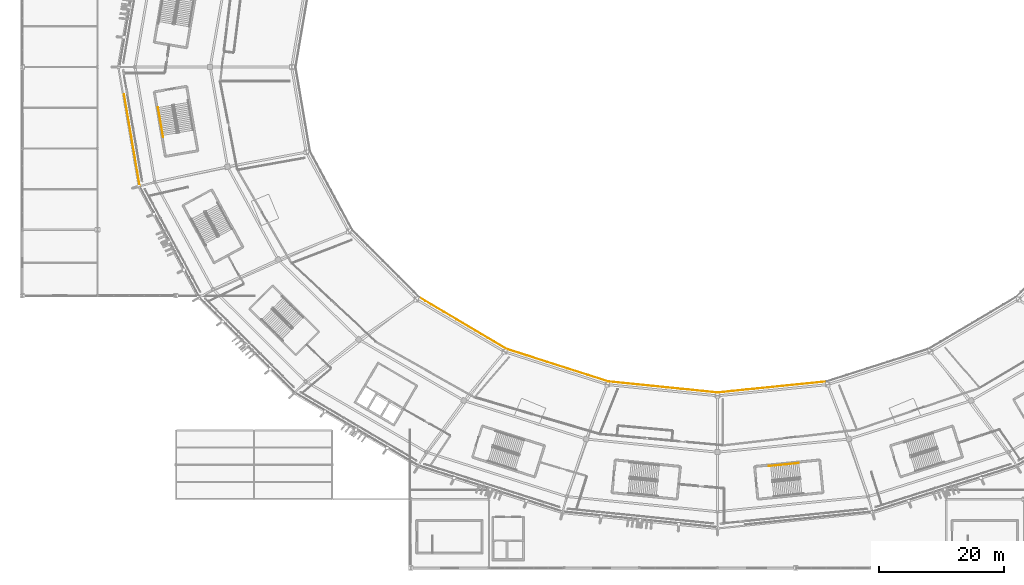
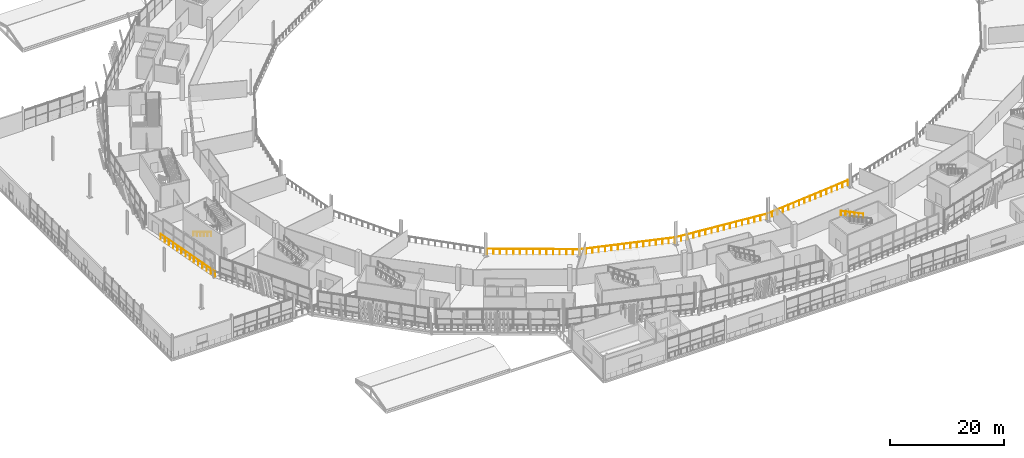
# One storey, part 152 of 179: 7 railings.
"""IFC4 building model written with IfcOpenShell, lengths in metres."""

from ifc_helpers import new_model, si_unit, direction, frame, origin, origin_2d, place, context, subcontext, project, spatial, rectangle, extrude, material, type_object, element, save


model = new_model("IFC4")

# Units and contexts
model_context = context("Model", 3, precision=1e-05, world=origin(), true_north=direction((0.0, 1.0)))
body_context = subcontext(model_context, "Body", "Model", "MODEL_VIEW")
ifc_project = project(units=[si_unit("LENGTHUNIT", "METRE"), si_unit("AREAUNIT", "SQUARE_METRE"), si_unit("VOLUMEUNIT", "CUBIC_METRE"), si_unit("PLANEANGLEUNIT", "RADIAN"), si_unit("MASSUNIT", "GRAM", prefix="KILO")], contexts=[model_context])

# Site, building, storey
site_placement = place(None, origin())
site = spatial("IfcSite", under=ifc_project, at=site_placement, CompositionType="ELEMENT")
building_placement = place(site_placement, origin())
building = spatial("IfcBuilding", under=site, at=building_placement, Name="Zlatoyarsky Gate Stadium", CompositionType="ELEMENT")
storey_placement = place(building_placement, frame((0.0, 0.0, 10.60009765625)))
storey = spatial("IfcBuildingStorey", under=building, at=storey_placement, Name="L02", CompositionType="ELEMENT", Elevation=10.60009765625)

# Railings
ifc_material_1 = material(Name="Powder-coated steel tubular guardrail", Category="steel")
railing_type_1 = type_object("IfcRailingType", Name="CONCOURSE SLAB EDGE GUARDRAIL 1200", PredefinedType="GUARDRAIL", material=ifc_material_1)
railing_1_placement = place(storey_placement, frame((63.35498046875, 43.24462890625, 0.0)))
element("IfcRailing", 1, at=railing_1_placement, inside=storey, type_object=railing_type_1, Name="L02 inner bowl edge guardrail 15", PredefinedType="GUARDRAIL", context=body_context, shape_type="SweptSolid", body=[
    extrude(rectangle(XDim=0.048095703125, YDim=0.048095703125, at=origin_2d()), frame((0.0, 0.0, 1.17578125), z_axis=(0.860533047645, -0.509394615118, 0.0), x_axis=(0.509394615118, 0.860533047645, 0.0)), (0.0, 0.0, 1.0), 16.216796875),
    extrude(rectangle(XDim=0.0419921875, YDim=0.0419921875, at=origin_2d()), origin(), (0.0, 0.0, 1.0), 1.15185546875),
    extrude(rectangle(XDim=0.0419921875, YDim=0.0419921875, at=origin_2d()), frame((0.996826171875, -0.590087890625, 0.0)), (0.0, 0.0, 1.0), 1.15185546875),
    extrude(rectangle(XDim=0.0419921875, YDim=0.0419921875, at=origin_2d()), frame((1.99365234375, -1.18017578125, 0.0)), (0.0, 0.0, 1.0), 1.15185546875),
    extrude(rectangle(XDim=0.0419921875, YDim=0.0419921875, at=origin_2d()), frame((2.990478515625, -1.770263671875, 0.0)), (0.0, 0.0, 1.0), 1.15185546875),
    extrude(rectangle(XDim=0.0419921875, YDim=0.0419921875, at=origin_2d()), frame((3.987060546875, -2.360107421875, 0.0)), (0.0, 0.0, 1.0), 1.15185546875),
    extrude(rectangle(XDim=0.0419921875, YDim=0.0419921875, at=origin_2d()), frame((4.98388671875, -2.9501953125, 0.0)), (0.0, 0.0, 1.0), 1.15185546875),
    extrude(rectangle(XDim=0.0419921875, YDim=0.0419921875, at=origin_2d()), frame((5.980712890625, -3.540283203125, 0.0)), (0.0, 0.0, 1.0), 1.15185546875),
    extrude(rectangle(XDim=0.0419921875, YDim=0.0419921875, at=origin_2d()), frame((6.9775390625, -4.13037109375, 0.0)), (0.0, 0.0, 1.0), 1.15185546875),
    extrude(rectangle(XDim=0.0419921875, YDim=0.0419921875, at=origin_2d()), frame((7.974365234375, -4.720458984375, 0.0)), (0.0, 0.0, 1.0), 1.15185546875),
    extrude(rectangle(XDim=0.0419921875, YDim=0.0419921875, at=origin_2d()), frame((8.97119140625, -5.310546875, 0.0)), (0.0, 0.0, 1.0), 1.15185546875),
    extrude(rectangle(XDim=0.0419921875, YDim=0.0419921875, at=origin_2d()), frame((9.968017578125, -5.900634765625, 0.0)), (0.0, 0.0, 1.0), 1.15185546875),
    extrude(rectangle(XDim=0.0419921875, YDim=0.0419921875, at=origin_2d()), frame((10.964599609375, -6.490478515625, 0.0)), (0.0, 0.0, 1.0), 1.15185546875),
    extrude(rectangle(XDim=0.0419921875, YDim=0.0419921875, at=origin_2d()), frame((11.96142578125, -7.08056640625, 0.0)), (0.0, 0.0, 1.0), 1.15185546875),
    extrude(rectangle(XDim=0.0419921875, YDim=0.0419921875, at=origin_2d()), frame((12.958251953125, -7.670654296875, 0.0)), (0.0, 0.0, 1.0), 1.15185546875),
    extrude(rectangle(XDim=0.0419921875, YDim=0.0419921875, at=origin_2d()), frame((13.955078125, -8.2607421875, 0.0)), (0.0, 0.0, 1.0), 1.15185546875),
])
railing_2_placement = place(storey_placement, frame((77.31005859375, 34.98388671875, 0.0)))
element("IfcRailing", 2, at=railing_2_placement, inside=storey, type_object=railing_type_1, Name="L02 inner bowl edge guardrail 16", PredefinedType="GUARDRAIL", context=body_context, shape_type="SweptSolid", body=[
    extrude(rectangle(XDim=0.048095703125, YDim=0.048095703125, at=origin_2d()), frame((0.0, 0.0, 1.17578125), z_axis=(0.952553500174, -0.304371203149, 0.0), x_axis=(0.304371203149, 0.952553500174, 0.0)), (0.0, 0.0, 1.0), 17.06005859375),
    extrude(rectangle(XDim=0.0419921875, YDim=0.0419921875, at=origin_2d()), origin(), (0.0, 0.0, 1.0), 1.15185546875),
    extrude(rectangle(XDim=0.0419921875, YDim=0.0419921875, at=origin_2d()), frame((1.08349609375, -0.34619140625, 0.0)), (0.0, 0.0, 1.0), 1.15185546875),
    extrude(rectangle(XDim=0.0419921875, YDim=0.0419921875, at=origin_2d()), frame((2.166748046875, -0.6923828125, 0.0)), (0.0, 0.0, 1.0), 1.15185546875),
    extrude(rectangle(XDim=0.0419921875, YDim=0.0419921875, at=origin_2d()), frame((3.250244140625, -1.03857421875, 0.0)), (0.0, 0.0, 1.0), 1.15185546875),
    extrude(rectangle(XDim=0.0419921875, YDim=0.0419921875, at=origin_2d()), frame((4.33349609375, -1.384765625, 0.0)), (0.0, 0.0, 1.0), 1.15185546875),
    extrude(rectangle(XDim=0.0419921875, YDim=0.0419921875, at=origin_2d()), frame((5.4169921875, -1.73095703125, 0.0)), (0.0, 0.0, 1.0), 1.15185546875),
    extrude(rectangle(XDim=0.0419921875, YDim=0.0419921875, at=origin_2d()), frame((6.500244140625, -2.0771484375, 0.0)), (0.0, 0.0, 1.0), 1.15185546875),
    extrude(rectangle(XDim=0.0419921875, YDim=0.0419921875, at=origin_2d()), frame((7.583740234375, -2.42333984375, 0.0)), (0.0, 0.0, 1.0), 1.15185546875),
    extrude(rectangle(XDim=0.0419921875, YDim=0.0419921875, at=origin_2d()), frame((8.6669921875, -2.769287109375, 0.0)), (0.0, 0.0, 1.0), 1.15185546875),
    extrude(rectangle(XDim=0.0419921875, YDim=0.0419921875, at=origin_2d()), frame((9.75048828125, -3.115478515625, 0.0)), (0.0, 0.0, 1.0), 1.15185546875),
    extrude(rectangle(XDim=0.0419921875, YDim=0.0419921875, at=origin_2d()), frame((10.833740234375, -3.461669921875, 0.0)), (0.0, 0.0, 1.0), 1.15185546875),
    extrude(rectangle(XDim=0.0419921875, YDim=0.0419921875, at=origin_2d()), frame((11.917236328125, -3.807861328125, 0.0)), (0.0, 0.0, 1.0), 1.15185546875),
    extrude(rectangle(XDim=0.0419921875, YDim=0.0419921875, at=origin_2d()), frame((13.00048828125, -4.154052734375, 0.0)), (0.0, 0.0, 1.0), 1.15185546875),
    extrude(rectangle(XDim=0.0419921875, YDim=0.0419921875, at=origin_2d()), frame((14.083984375, -4.500244140625, 0.0)), (0.0, 0.0, 1.0), 1.15185546875),
    extrude(rectangle(XDim=0.0419921875, YDim=0.0419921875, at=origin_2d()), frame((15.167236328125, -4.846435546875, 0.0)), (0.0, 0.0, 1.0), 1.15185546875),
    extrude(rectangle(XDim=0.0419921875, YDim=0.0419921875, at=origin_2d()), frame((16.250732421875, -5.192626953125, 0.0)), (0.0, 0.0, 1.0), 1.15185546875),
])
railing_3_placement = place(storey_placement, frame((93.560791015625, 29.791259765625, 0.0)))
element("IfcRailing", 3, at=railing_3_placement, inside=storey, type_object=railing_type_1, Name="L02 inner bowl edge guardrail 17", PredefinedType="GUARDRAIL", context=body_context, shape_type="SweptSolid", body=[
    extrude(rectangle(XDim=0.048095703125, YDim=0.048095703125, at=origin_2d()), frame((0.0, 0.0, 1.17578125), z_axis=(0.994881683928, -0.101046697049, 0.0), x_axis=(0.101046697049, 0.994881683928, 0.0)), (0.0, 0.0, 1.0), 17.52880859375),
    extrude(rectangle(XDim=0.0419921875, YDim=0.0419921875, at=origin_2d()), origin(), (0.0, 0.0, 1.0), 1.15185546875),
    extrude(rectangle(XDim=0.0419921875, YDim=0.0419921875, at=origin_2d()), frame((1.16259765625, -0.1181640625, 0.0)), (0.0, 0.0, 1.0), 1.15185546875),
    extrude(rectangle(XDim=0.0419921875, YDim=0.0419921875, at=origin_2d()), frame((2.3251953125, -0.236083984375, 0.0)), (0.0, 0.0, 1.0), 1.15185546875),
    extrude(rectangle(XDim=0.0419921875, YDim=0.0419921875, at=origin_2d()), frame((3.48779296875, -0.354248046875, 0.0)), (0.0, 0.0, 1.0), 1.15185546875),
    extrude(rectangle(XDim=0.0419921875, YDim=0.0419921875, at=origin_2d()), frame((4.650390625, -0.472412109375, 0.0)), (0.0, 0.0, 1.0), 1.15185546875),
    extrude(rectangle(XDim=0.0419921875, YDim=0.0419921875, at=origin_2d()), frame((5.81298828125, -0.59033203125, 0.0)), (0.0, 0.0, 1.0), 1.15185546875),
    extrude(rectangle(XDim=0.0419921875, YDim=0.0419921875, at=origin_2d()), frame((6.9755859375, -0.70849609375, 0.0)), (0.0, 0.0, 1.0), 1.15185546875),
    extrude(rectangle(XDim=0.0419921875, YDim=0.0419921875, at=origin_2d()), frame((8.13818359375, -0.82666015625, 0.0)), (0.0, 0.0, 1.0), 1.15185546875),
    extrude(rectangle(XDim=0.0419921875, YDim=0.0419921875, at=origin_2d()), frame((9.301025390625, -0.944580078125, 0.0)), (0.0, 0.0, 1.0), 1.15185546875),
    extrude(rectangle(XDim=0.0419921875, YDim=0.0419921875, at=origin_2d()), frame((10.463623046875, -1.062744140625, 0.0)), (0.0, 0.0, 1.0), 1.15185546875),
    extrude(rectangle(XDim=0.0419921875, YDim=0.0419921875, at=origin_2d()), frame((11.626220703125, -1.180908203125, 0.0)), (0.0, 0.0, 1.0), 1.15185546875),
    extrude(rectangle(XDim=0.0419921875, YDim=0.0419921875, at=origin_2d()), frame((12.788818359375, -1.298828125, 0.0)), (0.0, 0.0, 1.0), 1.15185546875),
    extrude(rectangle(XDim=0.0419921875, YDim=0.0419921875, at=origin_2d()), frame((13.951416015625, -1.4169921875, 0.0)), (0.0, 0.0, 1.0), 1.15185546875),
    extrude(rectangle(XDim=0.0419921875, YDim=0.0419921875, at=origin_2d()), frame((15.114013671875, -1.53515625, 0.0)), (0.0, 0.0, 1.0), 1.15185546875),
    extrude(rectangle(XDim=0.0419921875, YDim=0.0419921875, at=origin_2d()), frame((16.276611328125, -1.653076171875, 0.0)), (0.0, 0.0, 1.0), 1.15185546875),
    extrude(rectangle(XDim=0.0419921875, YDim=0.0419921875, at=origin_2d()), frame((17.439208984375, -1.771240234375, 0.0)), (0.0, 0.0, 1.0), 1.15185546875),
])
railing_4_placement = place(storey_placement, frame((111.0, 28.02001953125, 0.0)))
element("IfcRailing", 4, at=railing_4_placement, inside=storey, type_object=railing_type_1, Name="L02 inner bowl edge guardrail 18", PredefinedType="GUARDRAIL", context=body_context, shape_type="SweptSolid", body=[
    extrude(rectangle(XDim=0.048095703125, YDim=0.048095703125, at=origin_2d()), frame((0.0, 0.0, 1.17578125), z_axis=(0.994881683928, 0.101046697049, 0.0), x_axis=(-0.101046697049, 0.994881683928, 0.0)), (0.0, 0.0, 1.0), 17.52880859375),
    extrude(rectangle(XDim=0.0419921875, YDim=0.0419921875, at=origin_2d()), origin(), (0.0, 0.0, 1.0), 1.15185546875),
    extrude(rectangle(XDim=0.0419921875, YDim=0.0419921875, at=origin_2d()), frame((1.16259765625, 0.1181640625, 0.0)), (0.0, 0.0, 1.0), 1.15185546875),
    extrude(rectangle(XDim=0.0419921875, YDim=0.0419921875, at=origin_2d()), frame((2.3251953125, 0.236083984375, 0.0)), (0.0, 0.0, 1.0), 1.15185546875),
    extrude(rectangle(XDim=0.0419921875, YDim=0.0419921875, at=origin_2d()), frame((3.48779296875, 0.354248046875, 0.0)), (0.0, 0.0, 1.0), 1.15185546875),
    extrude(rectangle(XDim=0.0419921875, YDim=0.0419921875, at=origin_2d()), frame((4.650390625, 0.472412109375, 0.0)), (0.0, 0.0, 1.0), 1.15185546875),
    extrude(rectangle(XDim=0.0419921875, YDim=0.0419921875, at=origin_2d()), frame((5.81298828125, 0.59033203125, 0.0)), (0.0, 0.0, 1.0), 1.15185546875),
    extrude(rectangle(XDim=0.0419921875, YDim=0.0419921875, at=origin_2d()), frame((6.9755859375, 0.70849609375, 0.0)), (0.0, 0.0, 1.0), 1.15185546875),
    extrude(rectangle(XDim=0.0419921875, YDim=0.0419921875, at=origin_2d()), frame((8.13818359375, 0.82666015625, 0.0)), (0.0, 0.0, 1.0), 1.15185546875),
    extrude(rectangle(XDim=0.0419921875, YDim=0.0419921875, at=origin_2d()), frame((9.301025390625, 0.944580078125, 0.0)), (0.0, 0.0, 1.0), 1.15185546875),
    extrude(rectangle(XDim=0.0419921875, YDim=0.0419921875, at=origin_2d()), frame((10.463623046875, 1.062744140625, 0.0)), (0.0, 0.0, 1.0), 1.15185546875),
    extrude(rectangle(XDim=0.0419921875, YDim=0.0419921875, at=origin_2d()), frame((11.626220703125, 1.180908203125, 0.0)), (0.0, 0.0, 1.0), 1.15185546875),
    extrude(rectangle(XDim=0.0419921875, YDim=0.0419921875, at=origin_2d()), frame((12.788818359375, 1.298828125, 0.0)), (0.0, 0.0, 1.0), 1.15185546875),
    extrude(rectangle(XDim=0.0419921875, YDim=0.0419921875, at=origin_2d()), frame((13.951416015625, 1.4169921875, 0.0)), (0.0, 0.0, 1.0), 1.15185546875),
    extrude(rectangle(XDim=0.0419921875, YDim=0.0419921875, at=origin_2d()), frame((15.114013671875, 1.53515625, 0.0)), (0.0, 0.0, 1.0), 1.15185546875),
    extrude(rectangle(XDim=0.0419921875, YDim=0.0419921875, at=origin_2d()), frame((16.276611328125, 1.653076171875, 0.0)), (0.0, 0.0, 1.0), 1.15185546875),
    extrude(rectangle(XDim=0.0419921875, YDim=0.0419921875, at=origin_2d()), frame((17.439208984375, 1.771240234375, 0.0)), (0.0, 0.0, 1.0), 1.15185546875),
])
railing_5_placement = place(storey_placement, frame((16.25439453125, 75.61376953125, 0.0)))
element("IfcRailing", 5, at=railing_5_placement, inside=storey, type_object=railing_type_1, Name="L02 outer slab edge guardrail 12", PredefinedType="GUARDRAIL", context=body_context, shape_type="SweptSolid", body=[
    extrude(rectangle(XDim=0.048095703125, YDim=0.048095703125, at=origin_2d()), frame((0.0, 0.0, 1.17578125), z_axis=(0.168612863217, -0.985682353681, 0.0), x_axis=(0.985682353681, 0.168612863217, 0.0)), (0.0, 0.0, 1.0), 14.8486328125),
    extrude(rectangle(XDim=0.0419921875, YDim=0.0419921875, at=origin_2d()), origin(), (0.0, 0.0, 1.0), 1.15185546875),
    extrude(rectangle(XDim=0.0419921875, YDim=0.0419921875, at=origin_2d()), frame((0.192626953125, -1.125732421875, 0.0)), (0.0, 0.0, 1.0), 1.15185546875),
    extrude(rectangle(XDim=0.0419921875, YDim=0.0419921875, at=origin_2d()), frame((0.38525390625, -2.251708984375, 0.0)), (0.0, 0.0, 1.0), 1.15185546875),
    extrude(rectangle(XDim=0.0419921875, YDim=0.0419921875, at=origin_2d()), frame((0.577880859375, -3.37744140625, 0.0)), (0.0, 0.0, 1.0), 1.15185546875),
    extrude(rectangle(XDim=0.0419921875, YDim=0.0419921875, at=origin_2d()), frame((0.770263671875, -4.50341796875, 0.0)), (0.0, 0.0, 1.0), 1.15185546875),
    extrude(rectangle(XDim=0.0419921875, YDim=0.0419921875, at=origin_2d()), frame((0.962890625, -5.629150390625, 0.0)), (0.0, 0.0, 1.0), 1.15185546875),
    extrude(rectangle(XDim=0.0419921875, YDim=0.0419921875, at=origin_2d()), frame((1.155517578125, -6.755126953125, 0.0)), (0.0, 0.0, 1.0), 1.15185546875),
    extrude(rectangle(XDim=0.0419921875, YDim=0.0419921875, at=origin_2d()), frame((1.34814453125, -7.880859375, 0.0)), (0.0, 0.0, 1.0), 1.15185546875),
    extrude(rectangle(XDim=0.0419921875, YDim=0.0419921875, at=origin_2d()), frame((1.540771484375, -9.0068359375, 0.0)), (0.0, 0.0, 1.0), 1.15185546875),
    extrude(rectangle(XDim=0.0419921875, YDim=0.0419921875, at=origin_2d()), frame((1.7333984375, -10.132568359375, 0.0)), (0.0, 0.0, 1.0), 1.15185546875),
    extrude(rectangle(XDim=0.0419921875, YDim=0.0419921875, at=origin_2d()), frame((1.92578125, -11.258544921875, 0.0)), (0.0, 0.0, 1.0), 1.15185546875),
    extrude(rectangle(XDim=0.0419921875, YDim=0.0419921875, at=origin_2d()), frame((2.118408203125, -12.38427734375, 0.0)), (0.0, 0.0, 1.0), 1.15185546875),
    extrude(rectangle(XDim=0.0419921875, YDim=0.0419921875, at=origin_2d()), frame((2.31103515625, -13.51025390625, 0.0)), (0.0, 0.0, 1.0), 1.15185546875),
    extrude(rectangle(XDim=0.0419921875, YDim=0.0419921875, at=origin_2d()), frame((2.503662109375, -14.635986328125, 0.0)), (0.0, 0.0, 1.0), 1.15185546875),
])
ifc_material_2 = material(Name="Brushed stainless steel 316 handrail", Category="steel")
railing_type_2 = type_object("IfcRailingType", Name="STAINLESS STEEL TUBULAR HANDRAIL 900", PredefinedType="HANDRAIL", material=ifc_material_2)
railing_6_placement = place(storey_placement, frame((21.673828125, 73.5234375, 0.16015625)))
element("IfcRailing", 6, at=railing_6_placement, inside=storey, type_object=railing_type_2, Name="ST-07 L02 stair handrail 1", PredefinedType="HANDRAIL", context=body_context, shape_type="SweptSolid", body=[
    extrude(rectangle(XDim=0.048095703125, YDim=0.048095703125, at=origin_2d()), frame((0.0, 0.0, 0.8759765625), z_axis=(0.150714229303, -0.874016220516, 0.461931669579), x_axis=(0.985456004189, 0.169930761806, 0.0)), (0.0, 0.0, 1.0), 5.412109375),
    extrude(rectangle(XDim=0.0419921875, YDim=0.0419921875, at=origin_2d()), origin(), (0.0, 0.0, 1.0), 0.851806640625),
    extrude(rectangle(XDim=0.0419921875, YDim=0.0419921875, at=origin_2d()), frame((0.1630859375, -0.946044921875, 0.5)), (0.0, 0.0, 1.0), 0.851806640625),
    extrude(rectangle(XDim=0.0419921875, YDim=0.0419921875, at=origin_2d()), frame((0.326171875, -1.89208984375, 1.0)), (0.0, 0.0, 1.0), 0.851806640625),
    extrude(rectangle(XDim=0.0419921875, YDim=0.0419921875, at=origin_2d()), frame((0.489501953125, -2.838134765625, 1.5)), (0.0, 0.0, 1.0), 0.851806640625),
    extrude(rectangle(XDim=0.0419921875, YDim=0.0419921875, at=origin_2d()), frame((0.652587890625, -3.7841796875, 2.0)), (0.0, 0.0, 1.0), 0.851806640625),
    extrude(rectangle(XDim=0.0419921875, YDim=0.0419921875, at=origin_2d()), frame((0.815673828125, -4.730224609375, 2.5)), (0.0, 0.0, 1.0), 0.851806640625),
])
railing_7_placement = place(storey_placement, frame((123.978515625, 16.75439453125, 2.66015625)))
element("IfcRailing", 7, at=railing_7_placement, inside=storey, type_object=railing_type_2, Name="ST-10 L02 stair handrail 2", PredefinedType="HANDRAIL", context=body_context, shape_type="SweptSolid", body=[
    extrude(rectangle(XDim=0.048095703125, YDim=0.048095703125, at=origin_2d()), frame((0.0, 0.0, 0.8759765625), z_axis=(-0.882466168718, -0.08868870707, 0.461939145674), x_axis=(0.099997231792, -0.994987715318, 0.0)), (0.0, 0.0, 1.0), 5.411865234375),
    extrude(rectangle(XDim=0.0419921875, YDim=0.0419921875, at=origin_2d()), origin(), (0.0, 0.0, 1.0), 0.851806640625),
    extrude(rectangle(XDim=0.0419921875, YDim=0.0419921875, at=origin_2d()), frame((-0.955078125, -0.095947265625, 0.5)), (0.0, 0.0, 1.0), 0.851806640625),
    extrude(rectangle(XDim=0.0419921875, YDim=0.0419921875, at=origin_2d()), frame((-1.910400390625, -0.19189453125, 1.0)), (0.0, 0.0, 1.0), 0.851806640625),
    extrude(rectangle(XDim=0.0419921875, YDim=0.0419921875, at=origin_2d()), frame((-2.865478515625, -0.2880859375, 1.5)), (0.0, 0.0, 1.0), 0.851806640625),
    extrude(rectangle(XDim=0.0419921875, YDim=0.0419921875, at=origin_2d()), frame((-3.82080078125, -0.384033203125, 2.0)), (0.0, 0.0, 1.0), 0.851806640625),
    extrude(rectangle(XDim=0.0419921875, YDim=0.0419921875, at=origin_2d()), frame((-4.77587890625, -0.47998046875, 2.5)), (0.0, 0.0, 1.0), 0.851806640625),
])

save(model, "model.ifc")
